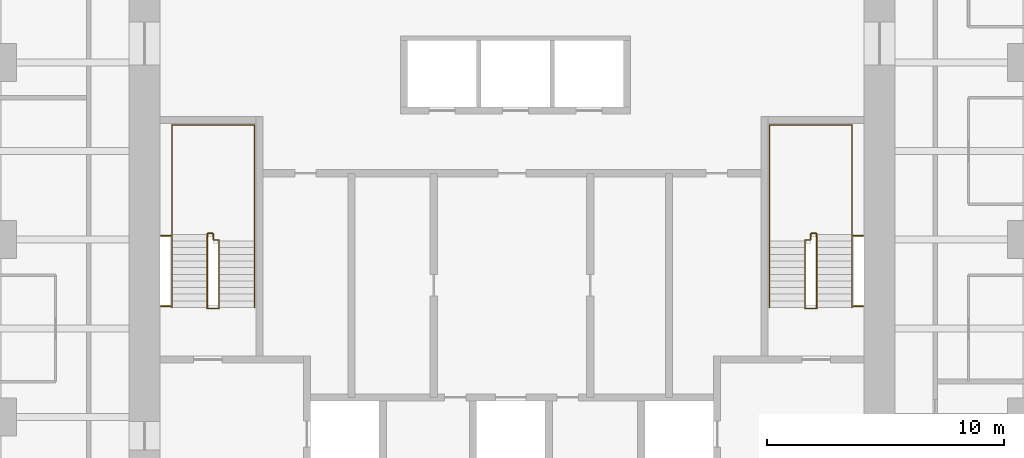
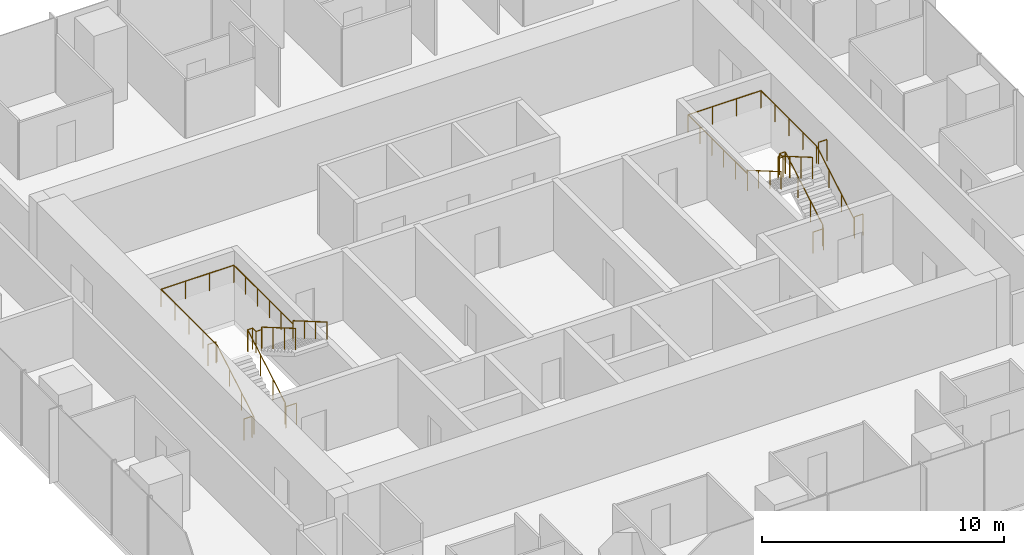
# One storey, part 12 of 12: 8 railings.
"""IFC4 building model written with IfcOpenShell, lengths in metres."""

from ifc_helpers import new_model, si_unit, direction, frame, origin, origin_2d, place, context, subcontext, project, spatial, circle, extrude, material, type_object, element, save


model = new_model("IFC4")

# Units and contexts
model_context = context("Model", 3, precision=1e-05, world=origin(), true_north=direction((0.0, 1.0)))
body_context = subcontext(model_context, "Body", "Model", "MODEL_VIEW")
ifc_project = project(units=[si_unit("LENGTHUNIT", "METRE"), si_unit("AREAUNIT", "SQUARE_METRE"), si_unit("VOLUMEUNIT", "CUBIC_METRE"), si_unit("PLANEANGLEUNIT", "RADIAN"), si_unit("MASSUNIT", "GRAM", prefix="KILO")], contexts=[model_context])

# Site, building, storey
site_placement = place(None, origin())
site = spatial("IfcSite", under=ifc_project, at=site_placement, CompositionType="ELEMENT")
building_placement = place(site_placement, origin())
building = spatial("IfcBuilding", under=site, at=building_placement, Name="Khuree Lantern Residences", CompositionType="ELEMENT")
storey_placement = place(building_placement, frame((0.0, 0.0, 342.0)))
storey = spatial("IfcBuildingStorey", under=building, at=storey_placement, Name="L86", CompositionType="ELEMENT", Elevation=342.0)

# Railings
ifc_material = material(Name="Steel S355", Category="steel")
railing_type_1 = type_object("IfcRailingType", Name="STAIR GUARD G1 1100", PredefinedType="GUARDRAIL", material=ifc_material)
railing_1_placement = place(storey_placement, frame((-12.35009765625, -2.909912109375, 0.0)))
element("IfcRailing", 1, at=railing_1_placement, inside=storey, type_object=railing_type_1, Name="Stair ST1 guard", PredefinedType="GUARDRAIL", context=body_context, shape_type="SweptSolid", body=[
    extrude(circle(Radius=0.02392578125, at=origin_2d()), frame((0.0, 0.0, 1.076171875), z_axis=(-1.0, 0.0, 0.0), x_axis=(0.0, -1.0, 0.0)), (0.0, 0.0, 1.0), 0.5),
    extrude(circle(Radius=0.02392578125, at=origin_2d()), frame((-0.5, 0.0, 1.076171875), z_axis=(0.0, 0.292073035251, 0.95639601739), x_axis=(-1.0, 0.0, 0.0)), (0.0, 0.0, 1.0), 0.17041015625),
    extrude(circle(Radius=0.02392578125, at=origin_2d()), frame((-0.5, 0.0498046875, 1.2392578125), z_axis=(0.0, 0.864176135923, 0.503189433615), x_axis=(-1.0, 0.0, 0.0)), (0.0, 0.0, 1.0), 3.564208984375),
    extrude(circle(Radius=0.02392578125, at=origin_2d()), frame((-0.5, 3.1298828125, 3.03271484375), z_axis=(0.0, 1.0, 0.0), x_axis=(-1.0, 0.0, 0.0)), (0.0, 0.0, 1.0), 0.050048828125),
    extrude(circle(Radius=0.02392578125, at=origin_2d()), frame((-0.5, 3.179931640625, 3.03271484375), z_axis=(1.0, 0.0, 0.0), x_axis=(0.0, 1.0, 0.0)), (0.0, 0.0, 1.0), 0.25),
    extrude(circle(Radius=0.02392578125, at=origin_2d()), frame((-0.25, 3.179931640625, 3.03271484375), z_axis=(0.0, -1.0, 0.0), x_axis=(1.0, 0.0, 0.0)), (0.0, 0.0, 1.0), 0.280029296875),
    extrude(circle(Radius=0.02392578125, at=origin_2d()), frame((-0.25, 2.89990234375, 3.03271484375), z_axis=(1.0, 0.0, 0.0), x_axis=(0.0, 1.0, 0.0)), (0.0, 0.0, 1.0), 0.25),
    extrude(circle(Radius=0.02392578125, at=origin_2d()), frame((0.0, 2.89990234375, 3.03271484375), z_axis=(0.0, -0.293381807449, 0.955995353053), x_axis=(1.0, 0.0, 0.0)), (0.0, 0.0, 1.0), 0.170654296875),
    extrude(circle(Radius=0.02392578125, at=origin_2d()), frame((0.0, 2.849853515625, 3.19580078125), z_axis=(0.0, -0.864180358799, 0.503182181189), x_axis=(1.0, 0.0, 0.0)), (0.0, 0.0, 1.0), 3.240234375),
    extrude(circle(Radius=0.02099609375, at=origin_2d()), origin(), (0.0, 0.0, 1.0), 1.052001953125),
    extrude(circle(Radius=0.02099609375, at=origin_2d()), frame((-0.5, 0.0, 0.0)), (0.0, 0.0, 1.0), 1.052001953125),
    extrude(circle(Radius=0.02099609375, at=origin_2d()), frame((-0.5, 0.0498046875, 0.1630859375)), (0.0, 0.0, 1.0), 1.052001953125),
    extrude(circle(Radius=0.02099609375, at=origin_2d()), frame((-0.5, 1.076416015625, 0.760986328125)), (0.0, 0.0, 1.0), 1.052001953125),
    extrude(circle(Radius=0.02099609375, at=origin_2d()), frame((-0.5, 2.103271484375, 1.358642578125)), (0.0, 0.0, 1.0), 1.052001953125),
    extrude(circle(Radius=0.02099609375, at=origin_2d()), frame((-0.5, 3.1298828125, 1.95654296875)), (0.0, 0.0, 1.0), 1.052001953125),
    extrude(circle(Radius=0.02099609375, at=origin_2d()), frame((-0.5, 3.179931640625, 1.95654296875)), (0.0, 0.0, 1.0), 1.052001953125),
    extrude(circle(Radius=0.02099609375, at=origin_2d()), frame((-0.25, 3.179931640625, 1.95654296875)), (0.0, 0.0, 1.0), 1.052001953125),
    extrude(circle(Radius=0.02099609375, at=origin_2d()), frame((-0.25, 2.89990234375, 1.95654296875)), (0.0, 0.0, 1.0), 1.052001953125),
    extrude(circle(Radius=0.02099609375, at=origin_2d()), frame((0.0, 2.89990234375, 1.95654296875)), (0.0, 0.0, 1.0), 1.052001953125),
    extrude(circle(Radius=0.02099609375, at=origin_2d()), frame((0.0, 2.849853515625, 2.11962890625)), (0.0, 0.0, 1.0), 1.052001953125),
    extrude(circle(Radius=0.02099609375, at=origin_2d()), frame((0.0, 1.91650390625, 2.6630859375)), (0.0, 0.0, 1.0), 1.052001953125),
    extrude(circle(Radius=0.02099609375, at=origin_2d()), frame((0.0, 0.983154296875, 3.20654296875)), (0.0, 0.0, 1.0), 1.052001953125),
    extrude(circle(Radius=0.02099609375, at=origin_2d()), frame((0.0, 0.0498046875, 3.75)), (0.0, 0.0, 1.0), 1.052001953125),
])
for number, where, name in (
    (2, (-14.800048828125, -2.81005859375, 0.0), "Stair ST1 landing slot guard"),
    (3, (-14.800048828125, 0.169921875, 1.95654296875), "Stair ST1 landing slot guard"),
):
    element("IfcRailing", number, at=place(storey_placement, frame(where)), inside=storey, type_object=railing_type_1, Name=name, PredefinedType="GUARDRAIL", context=body_context, shape_type="SweptSolid", body=[
        extrude(circle(Radius=0.02392578125, at=origin_2d()), frame((0.0, 0.0, 1.076171875), z_axis=(1.0, 0.0, 0.0), x_axis=(0.0, 1.0, 0.0)), (0.0, 0.0, 1.0), 0.400146484375),
        extrude(circle(Radius=0.02099609375, at=origin_2d()), origin(), (0.0, 0.0, 1.0), 1.052001953125),
        extrude(circle(Radius=0.02099609375, at=origin_2d()), frame((0.400146484375, 0.0, 0.0)), (0.0, 0.0, 1.0), 1.052001953125),
    ])
railing_2_placement = place(storey_placement, frame((12.35009765625, -2.909912109375, 0.0)))
element("IfcRailing", 4, at=railing_2_placement, inside=storey, type_object=railing_type_1, Name="Stair ST2 guard", PredefinedType="GUARDRAIL", context=body_context, shape_type="SweptSolid", body=[
    extrude(circle(Radius=0.02392578125, at=origin_2d()), frame((0.0, 0.0, 1.076171875), z_axis=(1.0, 0.0, 0.0), x_axis=(0.0, 1.0, 0.0)), (0.0, 0.0, 1.0), 0.5),
    extrude(circle(Radius=0.02392578125, at=origin_2d()), frame((0.5, 0.0, 1.076171875), z_axis=(0.0, 0.292073035251, 0.95639601739), x_axis=(-1.0, 0.0, 0.0)), (0.0, 0.0, 1.0), 0.17041015625),
    extrude(circle(Radius=0.02392578125, at=origin_2d()), frame((0.5, 0.0498046875, 1.2392578125), z_axis=(0.0, 0.864176135923, 0.503189433615), x_axis=(-1.0, 0.0, 0.0)), (0.0, 0.0, 1.0), 3.564208984375),
    extrude(circle(Radius=0.02392578125, at=origin_2d()), frame((0.5, 3.1298828125, 3.03271484375), z_axis=(0.0, 1.0, 0.0), x_axis=(-1.0, 0.0, 0.0)), (0.0, 0.0, 1.0), 0.050048828125),
    extrude(circle(Radius=0.02392578125, at=origin_2d()), frame((0.5, 3.179931640625, 3.03271484375), z_axis=(-1.0, 0.0, 0.0), x_axis=(0.0, -1.0, 0.0)), (0.0, 0.0, 1.0), 0.25),
    extrude(circle(Radius=0.02392578125, at=origin_2d()), frame((0.25, 3.179931640625, 3.03271484375), z_axis=(0.0, -1.0, 0.0), x_axis=(1.0, 0.0, 0.0)), (0.0, 0.0, 1.0), 0.280029296875),
    extrude(circle(Radius=0.02392578125, at=origin_2d()), frame((0.25, 2.89990234375, 3.03271484375), z_axis=(-1.0, 0.0, 0.0), x_axis=(0.0, -1.0, 0.0)), (0.0, 0.0, 1.0), 0.25),
    extrude(circle(Radius=0.02392578125, at=origin_2d()), frame((0.0, 2.89990234375, 3.03271484375), z_axis=(0.0, -0.293381807449, 0.955995353053), x_axis=(1.0, 0.0, 0.0)), (0.0, 0.0, 1.0), 0.170654296875),
    extrude(circle(Radius=0.02392578125, at=origin_2d()), frame((0.0, 2.849853515625, 3.19580078125), z_axis=(0.0, -0.864180358799, 0.503182181189), x_axis=(1.0, 0.0, 0.0)), (0.0, 0.0, 1.0), 3.240234375),
    extrude(circle(Radius=0.02099609375, at=origin_2d()), origin(), (0.0, 0.0, 1.0), 1.052001953125),
    extrude(circle(Radius=0.02099609375, at=origin_2d()), frame((0.5, 0.0, 0.0)), (0.0, 0.0, 1.0), 1.052001953125),
    extrude(circle(Radius=0.02099609375, at=origin_2d()), frame((0.5, 0.0498046875, 0.1630859375)), (0.0, 0.0, 1.0), 1.052001953125),
    extrude(circle(Radius=0.02099609375, at=origin_2d()), frame((0.5, 1.076416015625, 0.760986328125)), (0.0, 0.0, 1.0), 1.052001953125),
    extrude(circle(Radius=0.02099609375, at=origin_2d()), frame((0.5, 2.103271484375, 1.358642578125)), (0.0, 0.0, 1.0), 1.052001953125),
    extrude(circle(Radius=0.02099609375, at=origin_2d()), frame((0.5, 3.1298828125, 1.95654296875)), (0.0, 0.0, 1.0), 1.052001953125),
    extrude(circle(Radius=0.02099609375, at=origin_2d()), frame((0.5, 3.179931640625, 1.95654296875)), (0.0, 0.0, 1.0), 1.052001953125),
    extrude(circle(Radius=0.02099609375, at=origin_2d()), frame((0.25, 3.179931640625, 1.95654296875)), (0.0, 0.0, 1.0), 1.052001953125),
    extrude(circle(Radius=0.02099609375, at=origin_2d()), frame((0.25, 2.89990234375, 1.95654296875)), (0.0, 0.0, 1.0), 1.052001953125),
    extrude(circle(Radius=0.02099609375, at=origin_2d()), frame((0.0, 2.89990234375, 1.95654296875)), (0.0, 0.0, 1.0), 1.052001953125),
    extrude(circle(Radius=0.02099609375, at=origin_2d()), frame((0.0, 2.849853515625, 2.11962890625)), (0.0, 0.0, 1.0), 1.052001953125),
    extrude(circle(Radius=0.02099609375, at=origin_2d()), frame((0.0, 1.91650390625, 2.6630859375)), (0.0, 0.0, 1.0), 1.052001953125),
    extrude(circle(Radius=0.02099609375, at=origin_2d()), frame((0.0, 0.983154296875, 3.20654296875)), (0.0, 0.0, 1.0), 1.052001953125),
    extrude(circle(Radius=0.02099609375, at=origin_2d()), frame((0.0, 0.0498046875, 3.75)), (0.0, 0.0, 1.0), 1.052001953125),
])
for number, where, name in (
    (5, (14.800048828125, -2.81005859375, 0.0), "Stair ST2 landing slot guard"),
    (6, (14.800048828125, 0.169921875, 1.95654296875), "Stair ST2 landing slot guard"),
):
    element("IfcRailing", number, at=place(storey_placement, frame(where)), inside=storey, type_object=railing_type_1, Name=name, PredefinedType="GUARDRAIL", context=body_context, shape_type="SweptSolid", body=[
        extrude(circle(Radius=0.02392578125, at=origin_2d()), frame((0.0, 0.0, 1.076171875), z_axis=(-1.0, 0.0, 0.0), x_axis=(0.0, -1.0, 0.0)), (0.0, 0.0, 1.0), 0.400146484375),
        extrude(circle(Radius=0.02099609375, at=origin_2d()), origin(), (0.0, 0.0, 1.0), 1.052001953125),
        extrude(circle(Radius=0.02099609375, at=origin_2d()), frame((-0.400146484375, 0.0, 0.0)), (0.0, 0.0, 1.0), 1.052001953125),
    ])
railing_type_2 = type_object("IfcRailingType", Name="STAIR HANDRAIL H1 900", PredefinedType="HANDRAIL", material=ifc_material)
railing_3_placement = place(storey_placement, frame((-14.340087890625, -2.860107421875, 0.1630859375)))
element("IfcRailing", 7, at=railing_3_placement, inside=storey, type_object=railing_type_2, Name="Stair ST1 handrail", PredefinedType="HANDRAIL", context=body_context, shape_type="SweptSolid", body=[
    extrude(circle(Radius=0.02392578125, at=origin_2d()), frame((0.0, 0.0, 0.8759765625), z_axis=(0.0, 0.864176135923, 0.503189433615), x_axis=(-1.0, 0.0, 0.0)), (0.0, 0.0, 1.0), 3.564208984375),
    extrude(circle(Radius=0.02392578125, at=origin_2d()), frame((0.0, 3.080078125, 2.66943359375), z_axis=(0.0, 1.0, 0.0), x_axis=(-1.0, 0.0, 0.0)), (0.0, 0.0, 1.0), 4.6201171875),
    extrude(circle(Radius=0.02392578125, at=origin_2d()), frame((0.0, 7.7001953125, 2.66943359375), z_axis=(1.0, 0.0, 0.0), x_axis=(0.0, 1.0, 0.0)), (0.0, 0.0, 1.0), 3.47998046875),
    extrude(circle(Radius=0.02392578125, at=origin_2d()), frame((3.47998046875, 7.7001953125, 2.66943359375), z_axis=(0.0, -1.0, 0.0), x_axis=(1.0, 0.0, 0.0)), (0.0, 0.0, 1.0), 4.900146484375),
    extrude(circle(Radius=0.02392578125, at=origin_2d()), frame((3.47998046875, 2.800048828125, 2.66943359375), z_axis=(0.0, 0.0, 1.0), x_axis=(1.0, 0.0, 0.0)), (0.0, 0.0, 1.0), 0.1630859375),
    extrude(circle(Radius=0.02392578125, at=origin_2d()), frame((3.47998046875, 2.800048828125, 2.83251953125), z_axis=(0.0, -0.864180358799, 0.503182181189), x_axis=(1.0, 0.0, 0.0)), (0.0, 0.0, 1.0), 3.240234375),
    extrude(circle(Radius=0.02099609375, at=origin_2d()), origin(), (0.0, 0.0, 1.0), 0.851806640625),
    extrude(circle(Radius=0.02099609375, at=origin_2d()), frame((0.0, 1.026611328125, 0.597900390625)), (0.0, 0.0, 1.0), 0.851806640625),
    extrude(circle(Radius=0.02099609375, at=origin_2d()), frame((0.0, 2.053466796875, 1.195556640625)), (0.0, 0.0, 1.0), 0.851806640625),
    extrude(circle(Radius=0.02099609375, at=origin_2d()), frame((0.0, 3.080078125, 1.79345703125)), (0.0, 0.0, 1.0), 0.851806640625),
    extrude(circle(Radius=0.02099609375, at=origin_2d()), frame((0.0, 4.235107421875, 1.79345703125)), (0.0, 0.0, 1.0), 0.851806640625),
    extrude(circle(Radius=0.02099609375, at=origin_2d()), frame((0.0, 5.39013671875, 1.79345703125)), (0.0, 0.0, 1.0), 0.851806640625),
    extrude(circle(Radius=0.02099609375, at=origin_2d()), frame((0.0, 6.545166015625, 1.79345703125)), (0.0, 0.0, 1.0), 0.851806640625),
    extrude(circle(Radius=0.02099609375, at=origin_2d()), frame((0.0, 7.7001953125, 1.79345703125)), (0.0, 0.0, 1.0), 0.851806640625),
    extrude(circle(Radius=0.02099609375, at=origin_2d()), frame((1.159912109375, 7.7001953125, 1.79345703125)), (0.0, 0.0, 1.0), 0.851806640625),
    extrude(circle(Radius=0.02099609375, at=origin_2d()), frame((2.320068359375, 7.7001953125, 1.79345703125)), (0.0, 0.0, 1.0), 0.851806640625),
    extrude(circle(Radius=0.02099609375, at=origin_2d()), frame((3.47998046875, 7.7001953125, 1.79345703125)), (0.0, 0.0, 1.0), 0.851806640625),
    extrude(circle(Radius=0.02099609375, at=origin_2d()), frame((3.47998046875, 6.72021484375, 1.79345703125)), (0.0, 0.0, 1.0), 0.851806640625),
    extrude(circle(Radius=0.02099609375, at=origin_2d()), frame((3.47998046875, 5.740234375, 1.79345703125)), (0.0, 0.0, 1.0), 0.851806640625),
    extrude(circle(Radius=0.02099609375, at=origin_2d()), frame((3.47998046875, 4.760009765625, 1.79345703125)), (0.0, 0.0, 1.0), 0.851806640625),
    extrude(circle(Radius=0.02099609375, at=origin_2d()), frame((3.47998046875, 3.780029296875, 1.79345703125)), (0.0, 0.0, 1.0), 0.851806640625),
    extrude(circle(Radius=0.02099609375, at=origin_2d()), frame((3.47998046875, 2.800048828125, 1.79345703125)), (0.0, 0.0, 1.0), 0.851806640625),
    extrude(circle(Radius=0.02099609375, at=origin_2d()), frame((3.47998046875, 2.800048828125, 1.95654296875)), (0.0, 0.0, 1.0), 0.851806640625),
    extrude(circle(Radius=0.02099609375, at=origin_2d()), frame((3.47998046875, 1.86669921875, 2.5)), (0.0, 0.0, 1.0), 0.851806640625),
    extrude(circle(Radius=0.02099609375, at=origin_2d()), frame((3.47998046875, 0.933349609375, 3.04345703125)), (0.0, 0.0, 1.0), 0.851806640625),
    extrude(circle(Radius=0.02099609375, at=origin_2d()), frame((3.47998046875, 0.0, 3.5869140625)), (0.0, 0.0, 1.0), 0.851806640625),
])
railing_4_placement = place(storey_placement, frame((14.340087890625, -2.860107421875, 0.1630859375)))
element("IfcRailing", 8, at=railing_4_placement, inside=storey, type_object=railing_type_2, Name="Stair ST2 handrail", PredefinedType="HANDRAIL", context=body_context, shape_type="SweptSolid", body=[
    extrude(circle(Radius=0.02392578125, at=origin_2d()), frame((0.0, 0.0, 0.8759765625), z_axis=(0.0, 0.864176135923, 0.503189433615), x_axis=(-1.0, 0.0, 0.0)), (0.0, 0.0, 1.0), 3.564208984375),
    extrude(circle(Radius=0.02392578125, at=origin_2d()), frame((0.0, 3.080078125, 2.66943359375), z_axis=(0.0, 1.0, 0.0), x_axis=(-1.0, 0.0, 0.0)), (0.0, 0.0, 1.0), 4.6201171875),
    extrude(circle(Radius=0.02392578125, at=origin_2d()), frame((0.0, 7.7001953125, 2.66943359375), z_axis=(-1.0, 0.0, 0.0), x_axis=(0.0, -1.0, 0.0)), (0.0, 0.0, 1.0), 3.47998046875),
    extrude(circle(Radius=0.02392578125, at=origin_2d()), frame((-3.47998046875, 7.7001953125, 2.66943359375), z_axis=(0.0, -1.0, 0.0), x_axis=(1.0, 0.0, 0.0)), (0.0, 0.0, 1.0), 4.900146484375),
    extrude(circle(Radius=0.02392578125, at=origin_2d()), frame((-3.47998046875, 2.800048828125, 2.66943359375), z_axis=(0.0, 0.0, 1.0), x_axis=(1.0, 0.0, 0.0)), (0.0, 0.0, 1.0), 0.1630859375),
    extrude(circle(Radius=0.02392578125, at=origin_2d()), frame((-3.47998046875, 2.800048828125, 2.83251953125), z_axis=(0.0, -0.864180358799, 0.503182181189), x_axis=(1.0, 0.0, 0.0)), (0.0, 0.0, 1.0), 3.240234375),
    extrude(circle(Radius=0.02099609375, at=origin_2d()), origin(), (0.0, 0.0, 1.0), 0.851806640625),
    extrude(circle(Radius=0.02099609375, at=origin_2d()), frame((0.0, 1.026611328125, 0.597900390625)), (0.0, 0.0, 1.0), 0.851806640625),
    extrude(circle(Radius=0.02099609375, at=origin_2d()), frame((0.0, 2.053466796875, 1.195556640625)), (0.0, 0.0, 1.0), 0.851806640625),
    extrude(circle(Radius=0.02099609375, at=origin_2d()), frame((0.0, 3.080078125, 1.79345703125)), (0.0, 0.0, 1.0), 0.851806640625),
    extrude(circle(Radius=0.02099609375, at=origin_2d()), frame((0.0, 4.235107421875, 1.79345703125)), (0.0, 0.0, 1.0), 0.851806640625),
    extrude(circle(Radius=0.02099609375, at=origin_2d()), frame((0.0, 5.39013671875, 1.79345703125)), (0.0, 0.0, 1.0), 0.851806640625),
    extrude(circle(Radius=0.02099609375, at=origin_2d()), frame((0.0, 6.545166015625, 1.79345703125)), (0.0, 0.0, 1.0), 0.851806640625),
    extrude(circle(Radius=0.02099609375, at=origin_2d()), frame((0.0, 7.7001953125, 1.79345703125)), (0.0, 0.0, 1.0), 0.851806640625),
    extrude(circle(Radius=0.02099609375, at=origin_2d()), frame((-1.159912109375, 7.7001953125, 1.79345703125)), (0.0, 0.0, 1.0), 0.851806640625),
    extrude(circle(Radius=0.02099609375, at=origin_2d()), frame((-2.320068359375, 7.7001953125, 1.79345703125)), (0.0, 0.0, 1.0), 0.851806640625),
    extrude(circle(Radius=0.02099609375, at=origin_2d()), frame((-3.47998046875, 7.7001953125, 1.79345703125)), (0.0, 0.0, 1.0), 0.851806640625),
    extrude(circle(Radius=0.02099609375, at=origin_2d()), frame((-3.47998046875, 6.72021484375, 1.79345703125)), (0.0, 0.0, 1.0), 0.851806640625),
    extrude(circle(Radius=0.02099609375, at=origin_2d()), frame((-3.47998046875, 5.740234375, 1.79345703125)), (0.0, 0.0, 1.0), 0.851806640625),
    extrude(circle(Radius=0.02099609375, at=origin_2d()), frame((-3.47998046875, 4.760009765625, 1.79345703125)), (0.0, 0.0, 1.0), 0.851806640625),
    extrude(circle(Radius=0.02099609375, at=origin_2d()), frame((-3.47998046875, 3.780029296875, 1.79345703125)), (0.0, 0.0, 1.0), 0.851806640625),
    extrude(circle(Radius=0.02099609375, at=origin_2d()), frame((-3.47998046875, 2.800048828125, 1.79345703125)), (0.0, 0.0, 1.0), 0.851806640625),
    extrude(circle(Radius=0.02099609375, at=origin_2d()), frame((-3.47998046875, 2.800048828125, 1.95654296875)), (0.0, 0.0, 1.0), 0.851806640625),
    extrude(circle(Radius=0.02099609375, at=origin_2d()), frame((-3.47998046875, 1.86669921875, 2.5)), (0.0, 0.0, 1.0), 0.851806640625),
    extrude(circle(Radius=0.02099609375, at=origin_2d()), frame((-3.47998046875, 0.933349609375, 3.04345703125)), (0.0, 0.0, 1.0), 0.851806640625),
    extrude(circle(Radius=0.02099609375, at=origin_2d()), frame((-3.47998046875, 0.0, 3.5869140625)), (0.0, 0.0, 1.0), 0.851806640625),
])

save(model, "model.ifc")
